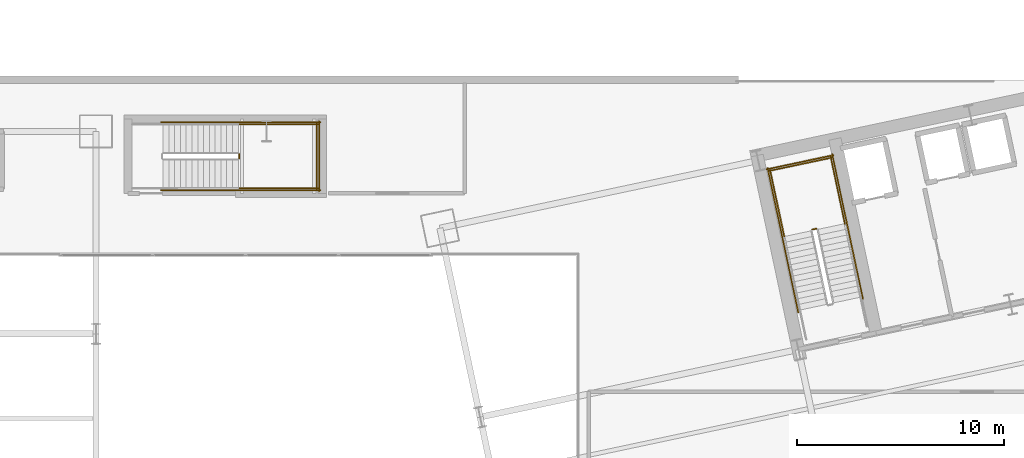
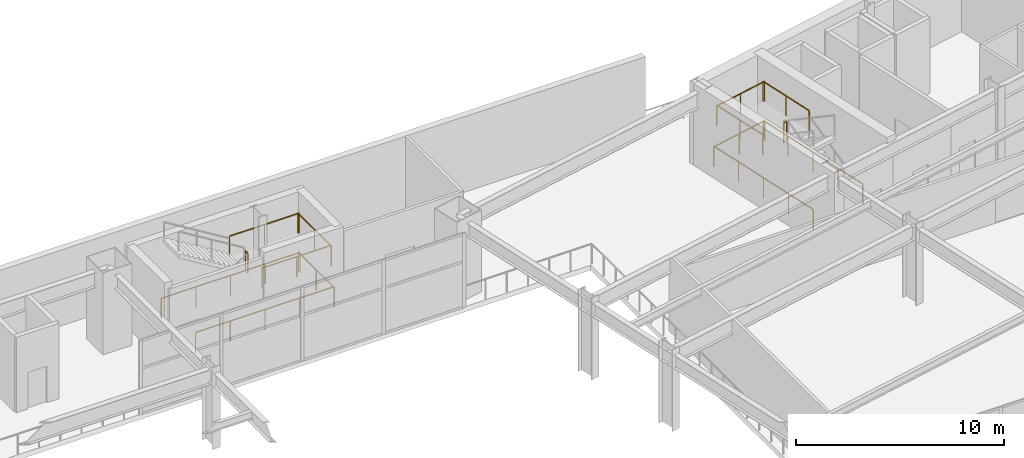
# One storey, part 33 of 35: 14 railings.
"""IFC4 building model written with IfcOpenShell, lengths in metres."""

from ifc_helpers import new_model, si_unit, direction, frame, origin, origin_2d, place, context, subcontext, project, spatial, rectangle, extrude, material, type_object, element, save


model = new_model("IFC4")

# Units and contexts
model_context = context("Model", 3, precision=1e-05, world=origin(), true_north=direction((0.0, 1.0)))
body_context = subcontext(model_context, "Body", "Model", "MODEL_VIEW")
ifc_project = project(units=[si_unit("LENGTHUNIT", "METRE"), si_unit("AREAUNIT", "SQUARE_METRE"), si_unit("VOLUMEUNIT", "CUBIC_METRE"), si_unit("PLANEANGLEUNIT", "RADIAN"), si_unit("MASSUNIT", "GRAM", prefix="KILO")], contexts=[model_context])

# Site, building, storey
site_placement = place(None, origin())
site = spatial("IfcSite", under=ifc_project, at=site_placement, CompositionType="ELEMENT")
building_placement = place(site_placement, origin())
building = spatial("IfcBuilding", under=site, at=building_placement, Name="Haevon Station Towers", CompositionType="ELEMENT")
storey_placement = place(building_placement, frame((0.0, 0.0, 20.39990234375)))
storey = spatial("IfcBuildingStorey", under=building, at=storey_placement, Name="L04", CompositionType="ELEMENT", Elevation=20.39990234375)

# Railings
ifc_material = material(Name="Steel S355", Category="steel")
railing_type = type_object("IfcRailingType", Name="GRD-STR1200", PredefinedType="GUARDRAIL", material=ifc_material)
railing_1_placement = place(storey_placement, frame((99.625244140625, 43.291748046875, 2.400146484375)))
element("IfcRailing", 1, at=railing_1_placement, inside=storey, type_object=railing_type, Name="L04 ST3 Stair Guard 2", PredefinedType="GUARDRAIL", context=body_context, shape_type="SweptSolid", body=[
    extrude(rectangle(XDim=0.048095703125, YDim=0.048095703125, at=origin_2d()), frame((0.0, 0.0, 1.17578125), z_axis=(-0.978211583308, -0.207610448392, 0.0), x_axis=(0.207610448392, -0.978211583308, 0.0)), (0.0, 0.0, 1.0), 0.199951171875),
    extrude(rectangle(XDim=0.0419921875, YDim=0.0419921875, at=origin_2d()), origin(), (0.0, 0.0, 1.0), 1.15185546875),
    extrude(rectangle(XDim=0.0419921875, YDim=0.0419921875, at=origin_2d()), frame((-0.195556640625, -0.04150390625, 0.0)), (0.0, 0.0, 1.0), 1.15185546875),
])
railing_2_placement = place(storey_placement, frame((101.005126953125, 43.533935546875, 2.400146484375)))
element("IfcRailing", 2, at=railing_2_placement, inside=storey, type_object=railing_type, Name="L04 ST3 Stair Guard 3", PredefinedType="GUARDRAIL", context=body_context, shape_type="SweptSolid", body=[
    extrude(rectangle(XDim=0.048095703125, YDim=0.048095703125, at=origin_2d()), frame((0.0, 0.0, 1.17578125), z_axis=(-0.207931975805, 0.978143288807, 0.0), x_axis=(-0.978143288807, -0.207931975805, 0.0)), (0.0, 0.0, 1.0), 3.309814453125),
    extrude(rectangle(XDim=0.0419921875, YDim=0.0419921875, at=origin_2d()), origin(), (0.0, 0.0, 1.0), 1.15185546875),
    extrude(rectangle(XDim=0.0419921875, YDim=0.0419921875, at=origin_2d()), frame((-0.34423828125, 1.61865234375, 0.0)), (0.0, 0.0, 1.0), 1.15185546875),
    extrude(rectangle(XDim=0.0419921875, YDim=0.0419921875, at=origin_2d()), frame((-0.688232421875, 3.237548828125, 0.0)), (0.0, 0.0, 1.0), 1.15185546875),
])
railing_3_placement = place(storey_placement, frame((98.070556640625, 42.91015625, 2.400146484375)))
element("IfcRailing", 3, at=railing_3_placement, inside=storey, type_object=railing_type, Name="L04 ST3 Stair Guard 4", PredefinedType="GUARDRAIL", context=body_context, shape_type="SweptSolid", body=[
    extrude(rectangle(XDim=0.048095703125, YDim=0.048095703125, at=origin_2d()), frame((0.0, 0.0, 1.17578125), z_axis=(-0.207846406048, 0.978161475163, 0.0), x_axis=(-0.978161475163, -0.207846406048, 0.0)), (0.0, 0.0, 1.0), 3.31005859375),
    extrude(rectangle(XDim=0.0419921875, YDim=0.0419921875, at=origin_2d()), origin(), (0.0, 0.0, 1.0), 1.15185546875),
    extrude(rectangle(XDim=0.0419921875, YDim=0.0419921875, at=origin_2d()), frame((-0.343994140625, 1.618896484375, 0.0)), (0.0, 0.0, 1.0), 1.15185546875),
    extrude(rectangle(XDim=0.0419921875, YDim=0.0419921875, at=origin_2d()), frame((-0.68798828125, 3.23779296875, 0.0)), (0.0, 0.0, 1.0), 1.15185546875),
])
railing_4_placement = place(storey_placement, frame((100.376220703125, 46.733154296875, 2.400146484375)))
element("IfcRailing", 4, at=railing_4_placement, inside=storey, type_object=railing_type, Name="L04 ST3 Stair Guard 5", PredefinedType="GUARDRAIL", context=body_context, shape_type="SweptSolid", body=[
    extrude(rectangle(XDim=0.048095703125, YDim=0.048095703125, at=origin_2d()), frame((0.0, 0.0, 1.17578125), z_axis=(-0.978146839882, -0.207915270313, 0.0), x_axis=(0.207915270313, -0.978146839882, 0.0)), (0.0, 0.0, 1.0), 3.099853515625),
    extrude(rectangle(XDim=0.0419921875, YDim=0.0419921875, at=origin_2d()), origin(), (0.0, 0.0, 1.0), 1.15185546875),
    extrude(rectangle(XDim=0.0419921875, YDim=0.0419921875, at=origin_2d()), frame((-1.51611328125, -0.322265625, 0.0)), (0.0, 0.0, 1.0), 1.15185546875),
    extrude(rectangle(XDim=0.0419921875, YDim=0.0419921875, at=origin_2d()), frame((-3.0322265625, -0.64453125, 0.0)), (0.0, 0.0, 1.0), 1.15185546875),
])
railing_5_placement = place(storey_placement, frame((101.88037109375, 39.896484375, 0.0)))
element("IfcRailing", 5, at=railing_5_placement, inside=storey, type_object=railing_type, Name="L04 ST3 Stair Guard 10", PredefinedType="GUARDRAIL", context=body_context, shape_type="SweptSolid", body=[
    extrude(rectangle(XDim=0.048095703125, YDim=0.048095703125, at=origin_2d()), frame((0.0, 0.0, 1.17578125), z_axis=(-0.207882442208, 0.978153817261, 0.0), x_axis=(-0.978153817261, -0.207882442208, 0.0)), (0.0, 0.0, 1.0), 7.14990234375),
    extrude(rectangle(XDim=0.0419921875, YDim=0.0419921875, at=origin_2d()), origin(), (0.0, 0.0, 1.0), 1.15185546875),
    extrude(rectangle(XDim=0.0419921875, YDim=0.0419921875, at=origin_2d()), frame((-0.37158203125, 1.74853515625, 0.0)), (0.0, 0.0, 1.0), 1.15185546875),
    extrude(rectangle(XDim=0.0419921875, YDim=0.0419921875, at=origin_2d()), frame((-0.7431640625, 3.496826171875, 0.0)), (0.0, 0.0, 1.0), 1.15185546875),
    extrude(rectangle(XDim=0.0419921875, YDim=0.0419921875, at=origin_2d()), frame((-1.11474609375, 5.2451171875, 0.0)), (0.0, 0.0, 1.0), 1.15185546875),
    extrude(rectangle(XDim=0.0419921875, YDim=0.0419921875, at=origin_2d()), frame((-1.486328125, 6.99365234375, 0.0)), (0.0, 0.0, 1.0), 1.15185546875),
])
railing_6_placement = place(storey_placement, frame((98.75048828125, 39.231201171875, 0.0)))
element("IfcRailing", 6, at=railing_6_placement, inside=storey, type_object=railing_type, Name="L04 ST3 Stair Guard 11", PredefinedType="GUARDRAIL", context=body_context, shape_type="SweptSolid", body=[
    extrude(rectangle(XDim=0.048095703125, YDim=0.048095703125, at=origin_2d()), frame((0.0, 0.0, 1.17578125), z_axis=(-0.207915112487, 0.978146873429, 0.0), x_axis=(-0.978146873429, -0.207915112487, 0.0)), (0.0, 0.0, 1.0), 7.14990234375),
    extrude(rectangle(XDim=0.0419921875, YDim=0.0419921875, at=origin_2d()), origin(), (0.0, 0.0, 1.0), 1.15185546875),
    extrude(rectangle(XDim=0.0419921875, YDim=0.0419921875, at=origin_2d()), frame((-0.37158203125, 1.74853515625, 0.0)), (0.0, 0.0, 1.0), 1.15185546875),
    extrude(rectangle(XDim=0.0419921875, YDim=0.0419921875, at=origin_2d()), frame((-0.7431640625, 3.496826171875, 0.0)), (0.0, 0.0, 1.0), 1.15185546875),
    extrude(rectangle(XDim=0.0419921875, YDim=0.0419921875, at=origin_2d()), frame((-1.114990234375, 5.2451171875, 0.0)), (0.0, 0.0, 1.0), 1.15185546875),
    extrude(rectangle(XDim=0.0419921875, YDim=0.0419921875, at=origin_2d()), frame((-1.486572265625, 6.99365234375, 0.0)), (0.0, 0.0, 1.0), 1.15185546875),
])
railing_7_placement = place(storey_placement, frame((100.453125, 46.8515625, 0.0)))
element("IfcRailing", 7, at=railing_7_placement, inside=storey, type_object=railing_type, Name="L04 ST3 Stair Guard 12", PredefinedType="GUARDRAIL", context=body_context, shape_type="SweptSolid", body=[
    extrude(rectangle(XDim=0.048095703125, YDim=0.048095703125, at=origin_2d()), frame((0.0, 0.0, 1.17578125), z_axis=(-0.978150764849, -0.207896804268, 0.0), x_axis=(0.207896804268, -0.978150764849, 0.0)), (0.0, 0.0, 1.0), 3.2998046875),
    extrude(rectangle(XDim=0.0419921875, YDim=0.0419921875, at=origin_2d()), origin(), (0.0, 0.0, 1.0), 1.15185546875),
    extrude(rectangle(XDim=0.0419921875, YDim=0.0419921875, at=origin_2d()), frame((-1.61376953125, -0.343017578125, 0.0)), (0.0, 0.0, 1.0), 1.15185546875),
    extrude(rectangle(XDim=0.0419921875, YDim=0.0419921875, at=origin_2d()), frame((-3.227783203125, -0.68603515625, 0.0)), (0.0, 0.0, 1.0), 1.15185546875),
])
railing_8_placement = place(storey_placement, frame((71.68994140625, 46.699951171875, 2.400146484375)))
element("IfcRailing", 8, at=railing_8_placement, inside=storey, type_object=railing_type, Name="L04 ST6 Stair Guard 2", PredefinedType="GUARDRAIL", context=body_context, shape_type="SweptSolid", body=[
    extrude(rectangle(XDim=0.048095703125, YDim=0.048095703125, at=origin_2d()), frame((0.0, 0.0, 1.17578125), z_axis=(0.0, 1.0, 0.0), x_axis=(-1.0, 0.0, 0.0)), (0.0, 0.0, 1.0), 0.199951171875),
    extrude(rectangle(XDim=0.0419921875, YDim=0.0419921875, at=origin_2d()), origin(), (0.0, 0.0, 1.0), 1.15185546875),
    extrude(rectangle(XDim=0.0419921875, YDim=0.0419921875, at=origin_2d()), frame((0.0, 0.199951171875, 0.0)), (0.0, 0.0, 1.0), 1.15185546875),
])
for number, where, name in (
    (9, (71.639892578125, 45.25, 2.400146484375), "L04 ST6 Stair Guard 3"),
    (10, (71.639892578125, 48.35009765625, 2.400146484375), "L04 ST6 Stair Guard 4"),
):
    element("IfcRailing", number, at=place(storey_placement, frame(where)), inside=storey, type_object=railing_type, Name=name, PredefinedType="GUARDRAIL", context=body_context, shape_type="SweptSolid", body=[
        extrude(rectangle(XDim=0.048095703125, YDim=0.048095703125, at=origin_2d()), frame((0.0, 0.0, 1.17578125), z_axis=(1.0, 0.0, 0.0), x_axis=(0.0, 1.0, 0.0)), (0.0, 0.0, 1.0), 3.860107421875),
        extrude(rectangle(XDim=0.0419921875, YDim=0.0419921875, at=origin_2d()), origin(), (0.0, 0.0, 1.0), 1.15185546875),
        extrude(rectangle(XDim=0.0419921875, YDim=0.0419921875, at=origin_2d()), frame((1.93017578125, 0.0, 0.0)), (0.0, 0.0, 1.0), 1.15185546875),
        extrude(rectangle(XDim=0.0419921875, YDim=0.0419921875, at=origin_2d()), frame((3.860107421875, 0.0, 0.0)), (0.0, 0.0, 1.0), 1.15185546875),
    ])
railing_9_placement = place(storey_placement, frame((75.449951171875, 45.199951171875, 2.400146484375)))
element("IfcRailing", 11, at=railing_9_placement, inside=storey, type_object=railing_type, Name="L04 ST6 Stair Guard 5", PredefinedType="GUARDRAIL", context=body_context, shape_type="SweptSolid", body=[
    extrude(rectangle(XDim=0.048095703125, YDim=0.048095703125, at=origin_2d()), frame((0.0, 0.0, 1.17578125), z_axis=(0.0, 1.0, 0.0), x_axis=(-1.0, 0.0, 0.0)), (0.0, 0.0, 1.0), 3.199951171875),
    extrude(rectangle(XDim=0.0419921875, YDim=0.0419921875, at=origin_2d()), origin(), (0.0, 0.0, 1.0), 1.15185546875),
    extrude(rectangle(XDim=0.0419921875, YDim=0.0419921875, at=origin_2d()), frame((0.0, 1.60009765625, 0.0)), (0.0, 0.0, 1.0), 1.15185546875),
    extrude(rectangle(XDim=0.0419921875, YDim=0.0419921875, at=origin_2d()), frame((0.0, 3.199951171875, 0.0)), (0.0, 0.0, 1.0), 1.15185546875),
])
for number, where, name in (
    (12, (67.89990234375, 45.14990234375, 0.0), "L04 ST6 Stair Guard 10"),
    (13, (67.89990234375, 48.449951171875, 0.0), "L04 ST6 Stair Guard 11"),
):
    element("IfcRailing", number, at=place(storey_placement, frame(where)), inside=storey, type_object=railing_type, Name=name, PredefinedType="GUARDRAIL", context=body_context, shape_type="SweptSolid", body=[
        extrude(rectangle(XDim=0.048095703125, YDim=0.048095703125, at=origin_2d()), frame((0.0, 0.0, 1.17578125), z_axis=(1.0, 0.0, 0.0), x_axis=(0.0, 1.0, 0.0)), (0.0, 0.0, 1.0), 7.7001953125),
        extrude(rectangle(XDim=0.0419921875, YDim=0.0419921875, at=origin_2d()), origin(), (0.0, 0.0, 1.0), 1.15185546875),
        extrude(rectangle(XDim=0.0419921875, YDim=0.0419921875, at=origin_2d()), frame((1.925048828125, 0.0, 0.0)), (0.0, 0.0, 1.0), 1.15185546875),
        extrude(rectangle(XDim=0.0419921875, YDim=0.0419921875, at=origin_2d()), frame((3.85009765625, 0.0, 0.0)), (0.0, 0.0, 1.0), 1.15185546875),
        extrude(rectangle(XDim=0.0419921875, YDim=0.0419921875, at=origin_2d()), frame((5.775146484375, 0.0, 0.0)), (0.0, 0.0, 1.0), 1.15185546875),
        extrude(rectangle(XDim=0.0419921875, YDim=0.0419921875, at=origin_2d()), frame((7.7001953125, 0.0, 0.0)), (0.0, 0.0, 1.0), 1.15185546875),
    ])
railing_10_placement = place(storey_placement, frame((75.550048828125, 45.10009765625, 0.0)))
element("IfcRailing", 14, at=railing_10_placement, inside=storey, type_object=railing_type, Name="L04 ST6 Stair Guard 12", PredefinedType="GUARDRAIL", context=body_context, shape_type="SweptSolid", body=[
    extrude(rectangle(XDim=0.048095703125, YDim=0.048095703125, at=origin_2d()), frame((0.0, 0.0, 1.17578125), z_axis=(0.0, 1.0, 0.0), x_axis=(-1.0, 0.0, 0.0)), (0.0, 0.0, 1.0), 3.39990234375),
    extrude(rectangle(XDim=0.0419921875, YDim=0.0419921875, at=origin_2d()), origin(), (0.0, 0.0, 1.0), 1.15185546875),
    extrude(rectangle(XDim=0.0419921875, YDim=0.0419921875, at=origin_2d()), frame((0.0, 1.699951171875, 0.0)), (0.0, 0.0, 1.0), 1.15185546875),
    extrude(rectangle(XDim=0.0419921875, YDim=0.0419921875, at=origin_2d()), frame((0.0, 3.39990234375, 0.0)), (0.0, 0.0, 1.0), 1.15185546875),
])

save(model, "model.ifc")
